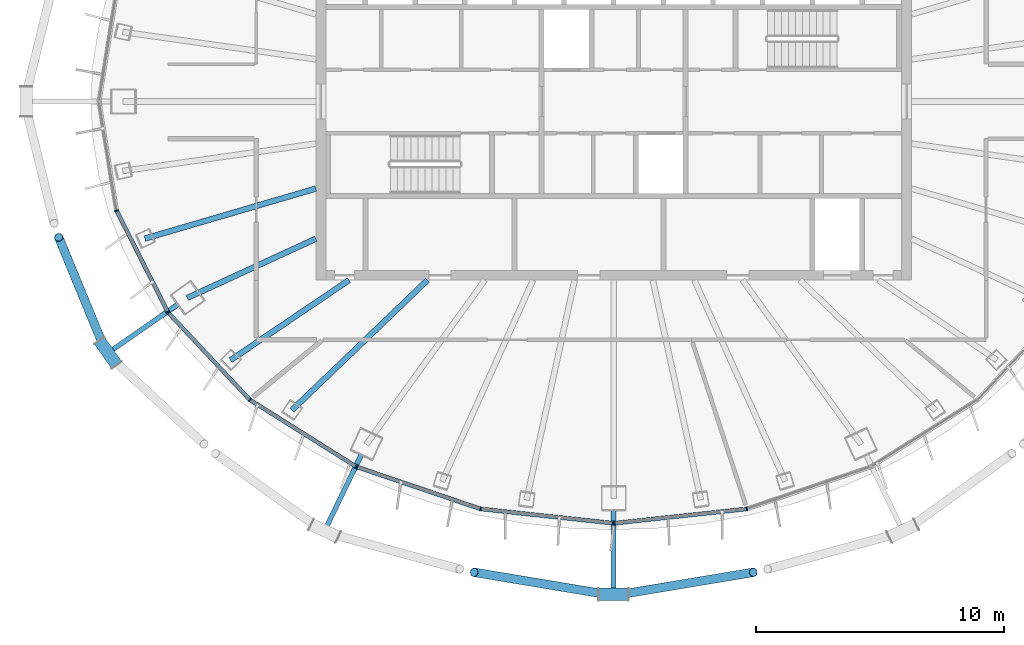
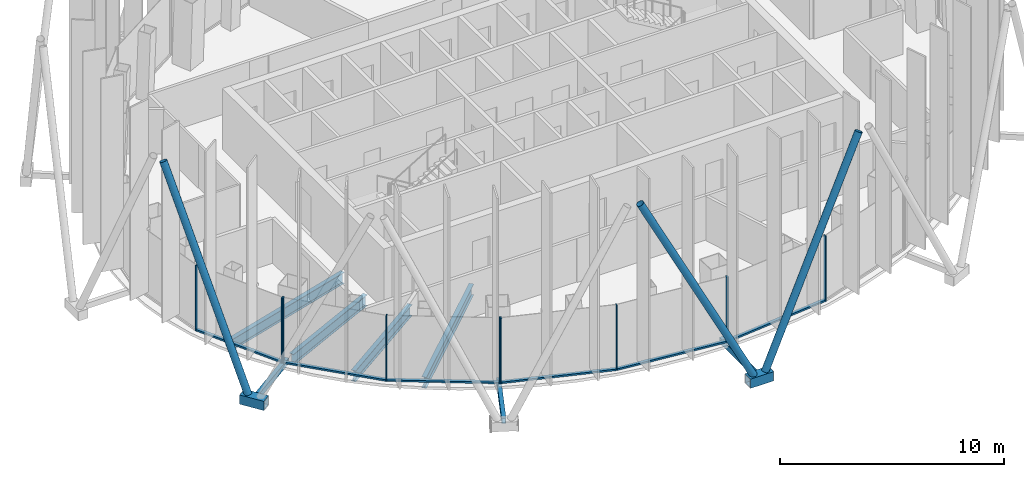
# One storey, part 2 of 19: 24 members, 4 beams, 4 elements without a shape of their own.
"""IFC4 building model written with IfcOpenShell, lengths in metres."""

import ifcopenshell
import ifcopenshell.guid

model = None  # the IFC model being written
_history = None  # IfcOwnerHistory: only IFC2X3 demands one
_inside = {}  # id of a spatial element -> (the spatial element, [elements in it])
_under = {}  # id of a project, library or spatial element -> (it, [spatial elements below it])
_declared = {}  # id of a project -> (the project, [libraries it declares])
_typed = {}  # id of a type object -> (the type object, [elements of that type])
_made_of = {}  # id of a material, layer set ... -> (it, [elements and type objects made of it])


def new_model(schema):
    """Start an empty IFC model of exactly this schema.

    Asked for "IFC4X3", IfcOpenShell would pick the latest addendum, in which some entities
    have other attributes; the version numbers below select the first issue.
    IFC2X3 requires an IfcOwnerHistory on every rooted entity: one is made here for all.
    """
    global model, _history
    if schema == "IFC4X3":
        model = ifcopenshell.file(schema_version=(4, 3, 0, 0))
    else:
        model = ifcopenshell.file(schema=schema)
    _inside.clear()
    _under.clear()
    _declared.clear()
    _typed.clear()
    _made_of.clear()
    _history = None
    if model.schema == "IFC2X3":
        org = make("IfcOrganization", Name="unknown")
        user = make(
            "IfcPersonAndOrganization",
            ThePerson=make("IfcPerson", FamilyName="unknown"),
            TheOrganization=org,
        )
        app = make(
            "IfcApplication",
            ApplicationDeveloper=org,
            Version="unknown",
            ApplicationFullName="unknown",
            ApplicationIdentifier="unknown",
        )
        _history = make(
            "IfcOwnerHistory",
            OwningUser=user,
            OwningApplication=app,
            ChangeAction="ADDED",
            CreationDate=0,
        )
    return model


def make(cls, **values):
    """One entity of the class cls with the attributes given. An attribute that is None is left unset."""
    return model.create_entity(
        cls, **{name: value for name, value in values.items() if value is not None}
    )


def rooted(cls, **values):
    """An entity with a GlobalId (a new one), such as an element, a storey or a relation."""
    return make(cls, GlobalId=ifcopenshell.guid.new(), OwnerHistory=_history, **values)


def si_unit(unit_type, name, prefix=None):
    """IfcSIUnit, for example si_unit("LENGTHUNIT", "METRE", prefix="MILLI")."""
    return make("IfcSIUnit", UnitType=unit_type, Prefix=prefix, Name=name)


def assignment(units):
    """IfcUnitAssignment: the units of a project."""
    return None if units is None else make("IfcUnitAssignment", Units=units)


def point(xyz):
    """IfcCartesianPoint."""
    return None if xyz is None else make("IfcCartesianPoint", Coordinates=xyz)


def direction(xyz):
    """IfcDirection."""
    return None if xyz is None else make("IfcDirection", DirectionRatios=xyz)


def frame(location, z_axis=None, x_axis=None):
    """IfcAxis2Placement3D, a coordinate frame: its origin and axes. An axis left out is left unset."""
    return make(
        "IfcAxis2Placement3D",
        Location=point(location),
        Axis=direction(z_axis),
        RefDirection=direction(x_axis),
    )


def frame_2d(location, x_axis=None):
    """IfcAxis2Placement2D, a coordinate frame in the plane: its origin and x axis."""
    return make(
        "IfcAxis2Placement2D", Location=point(location), RefDirection=direction(x_axis)
    )


def origin():
    """The frame at (0, 0, 0) with its axes left unset."""
    return frame((0.0, 0.0, 0.0))


def origin_2d():
    """The frame at (0, 0) in the plane with its x axis left unset."""
    return frame_2d((0.0, 0.0))


def place(relative_to, where):
    """IfcLocalPlacement: puts the frame where relative to a parent placement (None: the world)."""
    return make(
        "IfcLocalPlacement", PlacementRelTo=relative_to, RelativePlacement=where
    )


def context(
    kind, dimensions, precision=None, world=None, true_north=None, identifier=None
):
    """IfcGeometricRepresentationContext, for example the 3D "Model" context."""
    return make(
        "IfcGeometricRepresentationContext",
        ContextIdentifier=identifier,
        ContextType=kind,
        CoordinateSpaceDimension=dimensions,
        Precision=precision,
        WorldCoordinateSystem=world,
        TrueNorth=true_north,
    )


def subcontext(parent, identifier, kind, view, scale=None):
    """IfcGeometricRepresentationSubContext, for example "Body" below "Model"."""
    return make(
        "IfcGeometricRepresentationSubContext",
        ContextIdentifier=identifier,
        ContextType=kind,
        ParentContext=parent,
        TargetScale=scale,
        TargetView=view,
    )


def project(units=None, contexts=None):
    """IfcProject with its units and contexts."""
    return rooted(
        "IfcProject",
        Name="project",
        RepresentationContexts=contexts,
        UnitsInContext=assignment(units),
    )


def spatial(cls, under=None, at=None, **own):
    """A site, building, storey or space (cls), placed at a placement, below another one or the project."""
    s = rooted(cls, ObjectPlacement=at, **own)
    if under is not None:
        _under.setdefault(under.id(), (under, []))[1].append(s)
    return s


def profile(cls, at=None, kind="AREA", **sizes):
    """A parametric profile (cls). Its sizes go by their IFC names, for example OverallWidth=200.0."""
    return make(cls, ProfileType=kind, Position=at, **sizes)


def rectangle(**sizes):
    """IfcRectangleProfileDef."""
    return profile("IfcRectangleProfileDef", **sizes)


def hollow_rectangle(**sizes):
    """IfcRectangleHollowProfileDef."""
    return profile("IfcRectangleHollowProfileDef", **sizes)


def hollow_circle(**sizes):
    """IfcCircleHollowProfileDef."""
    return profile("IfcCircleHollowProfileDef", **sizes)


def i_section(**sizes):
    """IfcIShapeProfileDef."""
    return profile("IfcIShapeProfileDef", **sizes)


def extrude(swept, where, along, depth):
    """IfcExtrudedAreaSolid: the profile swept, set in the frame where, extruded along a direction by depth."""
    return make(
        "IfcExtrudedAreaSolid",
        SweptArea=swept,
        Position=where,
        ExtrudedDirection=direction(along),
        Depth=depth,
    )


def shape(context_of_items, identifier, shape_type, items):
    """IfcShapeRepresentation: the items that make up one representation, for example the "Body"."""
    return make(
        "IfcShapeRepresentation",
        ContextOfItems=context_of_items,
        RepresentationIdentifier=identifier,
        RepresentationType=shape_type,
        Items=items,
    )


def material(Name=None, Category=None):
    """IfcMaterial."""
    return make("IfcMaterial", Name=Name, Category=Category)


def layer(
    of_material, thickness, ventilated=None, Name=None, Category=None, Priority=None
):
    """IfcMaterialLayer: one layer of a wall or slab, of a material (None: an air gap)."""
    return make(
        "IfcMaterialLayer",
        Material=of_material,
        LayerThickness=thickness,
        IsVentilated=ventilated,
        Name=Name,
        Category=Category,
        Priority=Priority,
    )


def layer_set(layers, Name=None):
    """IfcMaterialLayerSet."""
    return make("IfcMaterialLayerSet", MaterialLayers=layers, LayerSetName=Name)


def material_profile(
    of_material, cross_section, Name=None, Category=None, Priority=None
):
    """IfcMaterialProfile: a cross section and its material."""
    return make(
        "IfcMaterialProfile",
        Name=Name,
        Material=of_material,
        Profile=cross_section,
        Priority=Priority,
        Category=Category,
    )


def profile_set(profiles, Name=None, composite=None):
    """IfcMaterialProfileSet."""
    return make(
        "IfcMaterialProfileSet",
        Name=Name,
        MaterialProfiles=profiles,
        CompositeProfile=composite,
    )


def made_of(thing, what):
    """Note that an element or type object is made of a material, layer set ...; save() writes the relation."""
    if what is not None:
        _made_of.setdefault(what.id(), (what, []))[1].append(thing)
    return thing


def type_object(cls, material=None, **own):
    """A type object (cls), such as IfcWallType, which elements share."""
    return made_of(rooted(cls, **own), material)


def element(
    cls,
    number,
    at=None,
    inside=None,
    cuts=None,
    type_object=None,
    material=None,
    context=None,
    identifier="Body",
    shape_type=None,
    held_by="IfcProductDefinitionShape",
    body=None,
    shapes=None,
    **own,
):
    """One element of the class cls, such as IfcWall. Its Tag is "e" and its number.

    at: its placement. inside: the storey or other place that contains it. cuts: it is an
    opening in that element (IfcRelVoidsElement). A single representation is given by context,
    identifier, shape_type and body (its items); several are given by shapes. held_by: the class
    of the entity that holds the representations. save() writes the other relations.
    """
    e = rooted(cls, Tag="e%d" % number, ObjectPlacement=at, **own)
    if body is not None:
        shapes = [shape(context, identifier, shape_type, body)]
    if shapes is not None:
        e.Representation = make(held_by, Representations=shapes)
    if inside is not None:
        _inside.setdefault(inside.id(), (inside, []))[1].append(e)
    if cuts is not None:
        rooted(
            "IfcRelVoidsElement", RelatingBuildingElement=cuts, RelatedOpeningElement=e
        )
    if type_object is not None:
        _typed.setdefault(type_object.id(), (type_object, []))[1].append(e)
    return made_of(e, material)


def aggregate(whole, parts):
    """IfcRelAggregates: a whole, such as a stair, and the parts it consists of."""
    return rooted("IfcRelAggregates", RelatingObject=whole, RelatedObjects=parts)


def save(model, path):
    """Write the relations noted so far, then the file.

    IfcRelAggregates (storeys below a building ...), IfcRelContainedInSpatialStructure (elements
    in a storey), IfcRelDefinesByType, IfcRelAssociatesMaterial and IfcRelDeclares: one each for
    every whole, place, type object, material and project.
    """
    for whole, parts in _under.values():
        aggregate(whole, parts)
    for where, things in _inside.values():
        rooted(
            "IfcRelContainedInSpatialStructure",
            RelatedElements=things,
            RelatingStructure=where,
        )
    for kind, things in _typed.values():
        rooted("IfcRelDefinesByType", RelatedObjects=things, RelatingType=kind)
    for what, things in _made_of.values():
        rooted("IfcRelAssociatesMaterial", RelatedObjects=things, RelatingMaterial=what)
    for by, libraries in _declared.values():
        rooted("IfcRelDeclares", RelatingContext=by, RelatedDefinitions=libraries)
    model.write(path)


model = new_model("IFC4")

# Units and contexts
model_context = context("Model", 3, precision=1e-05, world=origin(), true_north=direction((0.0, 1.0)))
body_context = subcontext(model_context, "Body", "Model", "MODEL_VIEW")
ifc_project = project(units=[si_unit("LENGTHUNIT", "METRE"), si_unit("AREAUNIT", "SQUARE_METRE"), si_unit("VOLUMEUNIT", "CUBIC_METRE"), si_unit("PLANEANGLEUNIT", "RADIAN"), si_unit("MASSUNIT", "GRAM", prefix="KILO")], contexts=[model_context])

# Site, building, storey
site_placement = place(None, origin())
site = spatial("IfcSite", under=ifc_project, at=site_placement, CompositionType="ELEMENT")
building_placement = place(site_placement, origin())
building = spatial("IfcBuilding", under=site, at=building_placement, Name="Siaravel Broadcast Tower", CompositionType="ELEMENT")
storey_placement = place(building_placement, frame((0.0, 0.0, 250.39990234375)))
storey = spatial("IfcBuildingStorey", under=building, at=storey_placement, Name="L61", CompositionType="ELEMENT", Elevation=250.39990234375)

# Beams
ifc_material_1 = material(Name="Steel S355", Category="steel")
ifc_material_profile_1 = material_profile(ifc_material_1, i_section(OverallWidth=0.2275390625, OverallDepth=0.6025390625, WebThickness=0.010498046875, FlangeThickness=0.014892578125, FilletRadius=0.0126953125, at=origin_2d()))
ifc_profile_set_1 = profile_set([ifc_material_profile_1], Name="Steel S355")
beam_type = type_object("IfcBeamType", Name="BM-UB 610x229x101", PredefinedType="BEAM", material=ifc_profile_set_1)
beam_1_placement = place(storey_placement, frame((-18.8857421875, -5.523681640625, -0.451171875), z_axis=(0.959790868, 0.280716029, 0.0), x_axis=(-0.280716029, 0.959790868, 0.0)))
element("IfcBeam", 1, at=beam_1_placement, inside=storey, type_object=beam_type, Name="Radial beam RB21", PredefinedType="BEAM", context=body_context, shape_type="SweptSolid", body=[
    extrude(i_section(OverallWidth=0.2275390625, OverallDepth=0.6025390625, WebThickness=0.010498046875, FlangeThickness=0.014892578125, FilletRadius=0.0126953125, at=origin_2d()), origin(), (0.0, 0.0, 1.0), 7.17431640625),
])
beam_2_placement = place(storey_placement, frame((-17.1796875, -7.916015625, -0.451171875), z_axis=(0.908219817, 0.418493445, 0.0), x_axis=(-0.418493445, 0.908219817, 0.0)))
element("IfcBeam", 2, at=beam_2_placement, inside=storey, type_object=beam_type, Name="Radial beam RB22", PredefinedType="BEAM", context=body_context, shape_type="SweptSolid", body=[
    extrude(i_section(OverallWidth=0.2275390625, OverallDepth=0.6025390625, WebThickness=0.010498046875, FlangeThickness=0.014892578125, FilletRadius=0.0126953125, at=origin_2d()), origin(), (0.0, 0.0, 1.0), 5.703125),
])
beam_3_placement = place(storey_placement, frame((-15.432861328125, -10.4189453125, -0.451171875), z_axis=(0.828804394, 0.55953845, 0.0), x_axis=(-0.55953845, 0.828804394, 0.0)))
element("IfcBeam", 3, at=beam_3_placement, inside=storey, type_object=beam_type, Name="Radial beam RB23", PredefinedType="BEAM", context=body_context, shape_type="SweptSolid", body=[
    extrude(i_section(OverallWidth=0.2275390625, OverallDepth=0.6025390625, WebThickness=0.010498046875, FlangeThickness=0.014892578125, FilletRadius=0.0126953125, at=origin_2d()), origin(), (0.0, 0.0, 1.0), 5.7529296875),
])
beam_4_placement = place(storey_placement, frame((-12.965576171875, -12.439697265625, -0.451171875), z_axis=(0.721584548, 0.692326325, 0.0), x_axis=(-0.692326325, 0.721584548, 0.0)))
element("IfcBeam", 4, at=beam_4_placement, inside=storey, type_object=beam_type, Name="Radial beam RB24", PredefinedType="BEAM", context=body_context, shape_type="SweptSolid", body=[
    extrude(i_section(OverallWidth=0.2275390625, OverallDepth=0.6025390625, WebThickness=0.010498046875, FlangeThickness=0.014892578125, FilletRadius=0.0126953125, at=origin_2d()), origin(), (0.0, 0.0, 1.0), 7.568359375),
])

# Curtain wall, members
ifc_material_2 = material(Name="Aluminium 6063-T6", Category="aluminium")
ifc_layer = layer(ifc_material_2, 0.159912109375)
ifc_layer_set = layer_set([ifc_layer], Name="Aluminium 6063-T6")
curtain_wall_type = type_object("IfcCurtainWallType", Name="Unitised curtain wall, zone 4", PredefinedType="NOTDEFINED", material=ifc_layer_set)
curtain_wall_1_placement = place(storey_placement, origin())
curtain_wall_1 = element("IfcCurtainWall", 5, at=curtain_wall_1_placement, inside=storey, type_object=curtain_wall_type, Name="L61 Unitised curtain wall, zone 4 07", PredefinedType="NOTDEFINED")
ifc_material_profile_2 = material_profile(ifc_material_2, rectangle(XDim=0.159912109375, YDim=0.054931640625, at=origin_2d()))
ifc_profile_set_2 = profile_set([ifc_material_profile_2], Name="Aluminium 6063-T6")
member_type_1 = type_object("IfcMemberType", Name="CW-Z4 mullion", PredefinedType="MULLION", material=ifc_profile_set_2)
member_1_placement = place(storey_placement, frame((-20.0263671875, -4.400390625, 0.0), z_axis=(0.0, 0.0, 1.0), x_axis=(0.951177667, 0.30864388, 0.0)))
member_1 = element("IfcMember", 6, at=member_1_placement, type_object=member_type_1, Name="CW-Z4 mullion 2", PredefinedType="MULLION", context=body_context, shape_type="SweptSolid", body=[
    extrude(rectangle(XDim=0.159912109375, YDim=0.054931640625, at=origin_2d()), origin(), (0.0, 0.0, 1.0), 3.550048828125),
])
member_2_placement = place(storey_placement, frame((-17.9658203125, -8.475341796875, 0.0), z_axis=(0.0, 0.0, 1.0), x_axis=(0.892393007, 0.45125904, 0.0)))
member_2 = element("IfcMember", 7, at=member_2_placement, type_object=member_type_1, Name="CW-Z4 mullion 3", PredefinedType="MULLION", context=body_context, shape_type="SweptSolid", body=[
    extrude(rectangle(XDim=0.159912109375, YDim=0.054931640625, at=origin_2d()), origin(), (0.0, 0.0, 1.0), 3.550048828125),
])

curtain_wall_2_placement = place(storey_placement, origin())
curtain_wall_2 = element("IfcCurtainWall", 8, at=curtain_wall_2_placement, inside=storey, type_object=curtain_wall_type, Name="L61 Unitised curtain wall, zone 4 08", PredefinedType="NOTDEFINED")
member_3_placement = place(storey_placement, frame((-17.9345703125, -8.52001953125, 0.0), z_axis=(0.0, 0.0, 1.0), x_axis=(0.729806711, 0.683653541, 0.0)))
member_3 = element("IfcMember", 9, at=member_3_placement, type_object=member_type_1, Name="CW-Z4 mullion 1", PredefinedType="MULLION", context=body_context, shape_type="SweptSolid", body=[
    extrude(rectangle(XDim=0.159912109375, YDim=0.054931640625, at=origin_2d()), origin(), (0.0, 0.0, 1.0), 3.550048828125),
])
member_4_placement = place(storey_placement, frame((-14.6572265625, -12.0185546875, 0.0), z_axis=(0.0, 0.0, 1.0), x_axis=(0.636220107, 0.771507599, 0.0)))
member_4 = element("IfcMember", 10, at=member_4_placement, type_object=member_type_1, Name="CW-Z4 mullion 2", PredefinedType="MULLION", context=body_context, shape_type="SweptSolid", body=[
    extrude(rectangle(XDim=0.159912109375, YDim=0.054931640625, at=origin_2d()), origin(), (0.0, 0.0, 1.0), 3.550048828125),
])
member_5_placement = place(storey_placement, frame((-10.386474609375, -14.702880859375, 0.0), z_axis=(0.0, 0.0, 1.0), x_axis=(0.532150638, 0.84664969, 0.0)))
member_5 = element("IfcMember", 11, at=member_5_placement, type_object=member_type_1, Name="CW-Z4 mullion 3", PredefinedType="MULLION", context=body_context, shape_type="SweptSolid", body=[
    extrude(rectangle(XDim=0.159912109375, YDim=0.054931640625, at=origin_2d()), origin(), (0.0, 0.0, 1.0), 3.550048828125),
])

curtain_wall_3_placement = place(storey_placement, origin())
curtain_wall_3 = element("IfcCurtainWall", 12, at=curtain_wall_3_placement, inside=storey, type_object=curtain_wall_type, Name="L61 Unitised curtain wall, zone 4 09", PredefinedType="NOTDEFINED")
member_6_placement = place(storey_placement, frame((-10.337158203125, -14.726318359375, 0.0), z_axis=(0.0, 0.0, 1.0), x_axis=(0.321301584, 0.946976923, 0.0)))
member_6 = element("IfcMember", 13, at=member_6_placement, type_object=member_type_1, Name="CW-Z4 mullion 1", PredefinedType="MULLION", context=body_context, shape_type="SweptSolid", body=[
    extrude(rectangle(XDim=0.159912109375, YDim=0.054931640625, at=origin_2d()), origin(), (0.0, 0.0, 1.0), 3.550048828125),
])
member_7_placement = place(storey_placement, frame((-5.364013671875, -16.413818359375, 0.0), z_axis=(0.0, 0.0, 1.0), x_axis=(0.215558728, 0.976490878, 0.0)))
member_7 = element("IfcMember", 14, at=member_7_placement, type_object=member_type_1, Name="CW-Z4 mullion 2", PredefinedType="MULLION", context=body_context, shape_type="SweptSolid", body=[
    extrude(rectangle(XDim=0.159912109375, YDim=0.054931640625, at=origin_2d()), origin(), (0.0, 0.0, 1.0), 3.550048828125),
])
member_8_placement = place(storey_placement, frame((-0.02734375, -16.9892578125, 0.0), z_axis=(0.0, 0.0, 1.0), x_axis=(0.107217823, 0.994235555, 0.0)))
member_8 = element("IfcMember", 15, at=member_8_placement, type_object=member_type_1, Name="CW-Z4 mullion 3", PredefinedType="MULLION", context=body_context, shape_type="SweptSolid", body=[
    extrude(rectangle(XDim=0.159912109375, YDim=0.054931640625, at=origin_2d()), origin(), (0.0, 0.0, 1.0), 3.550048828125),
])

curtain_wall_4_placement = place(storey_placement, origin())
curtain_wall_4 = element("IfcCurtainWall", 16, at=curtain_wall_4_placement, inside=storey, type_object=curtain_wall_type, Name="L61 Unitised curtain wall, zone 4 10", PredefinedType="NOTDEFINED")
member_9_placement = place(storey_placement, frame((0.02734375, -16.9892578125, 0.0), z_axis=(0.0, 0.0, 1.0), x_axis=(-0.107217823, 0.994235555, 0.0)))
member_9 = element("IfcMember", 17, at=member_9_placement, type_object=member_type_1, Name="CW-Z4 mullion 1", PredefinedType="MULLION", context=body_context, shape_type="SweptSolid", body=[
    extrude(rectangle(XDim=0.159912109375, YDim=0.054931640625, at=origin_2d()), origin(), (0.0, 0.0, 1.0), 3.550048828125),
])
member_10_placement = place(storey_placement, frame((5.364013671875, -16.413818359375, 0.0), z_axis=(0.0, 0.0, 1.0), x_axis=(-0.215558728, 0.976490878, 0.0)))
member_10 = element("IfcMember", 18, at=member_10_placement, type_object=member_type_1, Name="CW-Z4 mullion 2", PredefinedType="MULLION", context=body_context, shape_type="SweptSolid", body=[
    extrude(rectangle(XDim=0.159912109375, YDim=0.054931640625, at=origin_2d()), origin(), (0.0, 0.0, 1.0), 3.550048828125),
])

# Member
ifc_material_profile_3 = material_profile(ifc_material_2, rectangle(XDim=0.159912109375, YDim=0.090087890625, at=origin_2d()))
ifc_profile_set_3 = profile_set([ifc_material_profile_3], Name="Aluminium 6063-T6")
member_type_2 = type_object("IfcMemberType", Name="CW-Z4 transom", PredefinedType="USERDEFINED", material=ifc_profile_set_3)
member_11_placement = place(storey_placement, frame((-20.013916015625, -4.425048828125, 0.045166015625), z_axis=(0.451257233, -0.892393921, 0.0), x_axis=(0.892393921, 0.451257233, 0.0)))
member_11 = element("IfcMember", 19, at=member_11_placement, type_object=member_type_2, Name="CW-Z4 transom 2", ObjectType="TRANSOM", PredefinedType="USERDEFINED", context=body_context, shape_type="SweptSolid", body=[
    extrude(rectangle(XDim=0.159912109375, YDim=0.090087890625, at=origin_2d()), origin(), (0.0, 0.0, 1.0), 4.510986328125),
])

aggregate(curtain_wall_1, [member_1, member_2, member_11])

member_12_placement = place(storey_placement, frame((-17.915771484375, -8.5400390625, 0.045166015625), z_axis=(0.683649743, -0.729810269, 0.0), x_axis=(0.729810269, 0.683649743, 0.0)))
member_12 = element("IfcMember", 20, at=member_12_placement, type_object=member_type_2, Name="CW-Z4 transom 1", ObjectType="TRANSOM", PredefinedType="USERDEFINED", context=body_context, shape_type="SweptSolid", body=[
    extrude(rectangle(XDim=0.159912109375, YDim=0.090087890625, at=origin_2d()), origin(), (0.0, 0.0, 1.0), 4.739013671875),
])

member_13_placement = place(storey_placement, frame((-14.6337890625, -12.033203125, 0.045166015625), z_axis=(0.846648518, -0.532152504, 0.0), x_axis=(0.532152504, 0.846648518, 0.0)))
member_13 = element("IfcMember", 21, at=member_13_placement, type_object=member_type_2, Name="CW-Z4 transom 2", ObjectType="TRANSOM", PredefinedType="USERDEFINED", context=body_context, shape_type="SweptSolid", body=[
    extrude(rectangle(XDim=0.159912109375, YDim=0.090087890625, at=origin_2d()), origin(), (0.0, 0.0, 1.0), 4.9892578125),
])

aggregate(curtain_wall_2, [member_3, member_4, member_5, member_12, member_13])

member_14_placement = place(storey_placement, frame((-10.31103515625, -14.735107421875, 0.045166015625), z_axis=(0.946973595, -0.321311392, 0.0), x_axis=(0.321311392, 0.946973595, 0.0)))
member_14 = element("IfcMember", 22, at=member_14_placement, type_object=member_type_2, Name="CW-Z4 transom 1", ObjectType="TRANSOM", PredefinedType="USERDEFINED", context=body_context, shape_type="SweptSolid", body=[
    extrude(rectangle(XDim=0.159912109375, YDim=0.090087890625, at=origin_2d()), origin(), (0.0, 0.0, 1.0), 5.196533203125),
])

member_15_placement = place(storey_placement, frame((-5.336669921875, -16.416748046875, 0.045166015625), z_axis=(0.994236077, -0.107212978, 0.0), x_axis=(0.107212978, 0.994236077, 0.0)))
member_15 = element("IfcMember", 23, at=member_15_placement, type_object=member_type_2, Name="CW-Z4 transom 2", ObjectType="TRANSOM", PredefinedType="USERDEFINED", context=body_context, shape_type="SweptSolid", body=[
    extrude(rectangle(XDim=0.159912109375, YDim=0.090087890625, at=origin_2d()), origin(), (0.0, 0.0, 1.0), 5.3125),
])

aggregate(curtain_wall_3, [member_6, member_7, member_8, member_14, member_15])

member_16_placement = place(storey_placement, frame((0.0546875, -16.986328125, 0.045166015625), z_axis=(0.994236077, 0.107212978, 0.0), x_axis=(-0.107212978, 0.994236077, 0.0)))
member_16 = element("IfcMember", 24, at=member_16_placement, type_object=member_type_2, Name="CW-Z4 transom 1", ObjectType="TRANSOM", PredefinedType="USERDEFINED", context=body_context, shape_type="SweptSolid", body=[
    extrude(rectangle(XDim=0.159912109375, YDim=0.090087890625, at=origin_2d()), origin(), (0.0, 0.0, 1.0), 5.3125),
])

aggregate(curtain_wall_4, [member_9, member_10, member_16])

# Members
ifc_material_3 = material(Name="Steel S460", Category="steel")
ifc_material_profile_4 = material_profile(ifc_material_3, hollow_circle(Radius=0.177734375, WallThickness=0.012451171875, at=origin_2d()))
ifc_profile_set_4 = profile_set([ifc_material_profile_4], Name="Steel S460")
member_type_3 = type_object("IfcMemberType", Name="Diagrid diagonal CHS 355.6x12.5", PredefinedType="BRACE", material=ifc_profile_set_4)
member_17_placement = place(storey_placement, frame((-20.540771484375, -9.884765625, 0.02001953125), z_axis=(-0.155613131, 0.377660777, 0.912774282), x_axis=(-0.92458692, -0.380971163, 0.0)))
element("IfcMember", 25, at=member_17_placement, inside=storey, type_object=member_type_3, Name="Diagrid diagonal R25 station 42C", PredefinedType="BRACE", context=body_context, shape_type="SweptSolid", body=[
    extrude(hollow_circle(Radius=0.177734375, WallThickness=0.012451171875, at=origin_2d()), origin(), (0.0, 0.0, 1.0), 11.678955078125),
])
for number, where, z_axis, x_axis, name in (
    (26, (-0.295654296875, -19.85693359375, 0.02001953125), (-0.445729387, 0.074386978, 0.892071685), (-0.164611595, -0.986358466, 0.0), "Diagrid diagonal R25 station 54C"),
    (27, (0.295654296875, -19.85693359375, 0.02001953125), (0.445729387, 0.074386978, 0.892071685), (-0.164611595, 0.986358466, 0.0), "Diagrid diagonal R25 station 54A"),
):
    element("IfcMember", number, at=place(storey_placement, frame(where, z_axis=z_axis, x_axis=x_axis)), inside=storey, type_object=member_type_3, Name=name, PredefinedType="BRACE", context=body_context, shape_type="SweptSolid", body=[
        extrude(hollow_circle(Radius=0.177734375, WallThickness=0.012451171875, at=origin_2d()), origin(), (0.0, 0.0, 1.0), 11.949951171875),
    ])
ifc_material_profile_5 = material_profile(ifc_material_3, hollow_rectangle(XDim=0.5, YDim=0.5, WallThickness=0.031982421875, at=origin_2d()))
ifc_profile_set_5 = profile_set([ifc_material_profile_5], Name="Steel S460")
member_type_4 = type_object("IfcMemberType", Name="Diagrid node BOX 500x500x32", PredefinedType="USERDEFINED", material=ifc_profile_set_5)
member_18_placement = place(storey_placement, frame((-20.71240234375, -9.641357421875, -0.199951171875), z_axis=(0.576206583, -0.817304089, 0.0), x_axis=(0.817304089, 0.576206583, 0.0)))
element("IfcMember", 28, at=member_18_placement, inside=storey, type_object=member_type_4, Name="Diagrid node R25 station 42", ObjectType="DIAGRID NODE", PredefinedType="USERDEFINED", context=body_context, shape_type="SweptSolid", body=[
    extrude(hollow_rectangle(XDim=0.5, YDim=0.5, WallThickness=0.031982421875, at=origin_2d()), origin(), (0.0, 0.0, 1.0), 1.186767578125),
])
member_19_placement = place(storey_placement, frame((-0.593505859375, -19.85693359375, -0.199951171875), z_axis=(1.0, 0.0, 0.0), x_axis=(0.0, 1.0, 0.0)))
element("IfcMember", 29, at=member_19_placement, inside=storey, type_object=member_type_4, Name="Diagrid node R25 station 54", ObjectType="DIAGRID NODE", PredefinedType="USERDEFINED", context=body_context, shape_type="SweptSolid", body=[
    extrude(hollow_rectangle(XDim=0.5, YDim=0.5, WallThickness=0.031982421875, at=origin_2d()), origin(), (0.0, 0.0, 1.0), 1.18701171875),
])
ifc_material_profile_6 = material_profile(ifc_material_3, hollow_rectangle(XDim=0.199951171875, YDim=0.300048828125, WallThickness=0.012451171875, at=origin_2d()))
ifc_profile_set_6 = profile_set([ifc_material_profile_6], Name="Steel S460")
member_type_5 = type_object("IfcMemberType", Name="Diagrid node arm RHS 300x200x12.5", PredefinedType="STRUT", material=ifc_profile_set_6)
member_20_placement = place(storey_placement, frame((-17.566162109375, -8.18359375, -0.199951171875), z_axis=(-0.821996626, -0.569492358, 0.0), x_axis=(0.569492358, -0.821996626, 0.0)))
element("IfcMember", 30, at=member_20_placement, inside=storey, type_object=member_type_5, Name="Node arm R25 station 42", PredefinedType="STRUT", context=body_context, shape_type="SweptSolid", body=[
    extrude(hollow_rectangle(XDim=0.199951171875, YDim=0.300048828125, WallThickness=0.012451171875, at=origin_2d()), origin(), (0.0, 0.0, 1.0), 3.191650390625),
])
member_21_placement = place(storey_placement, frame((-10.171630859375, -14.23779296875, -0.199951171875), z_axis=(-0.434183283, -0.900824554, 0.0), x_axis=(0.900824554, -0.434183283, 0.0)))
element("IfcMember", 31, at=member_21_placement, inside=storey, type_object=member_type_5, Name="Node arm R25 station 48", PredefinedType="STRUT", context=body_context, shape_type="SweptSolid", body=[
    extrude(hollow_rectangle(XDim=0.199951171875, YDim=0.300048828125, WallThickness=0.012451171875, at=origin_2d()), origin(), (0.0, 0.0, 1.0), 3.174072265625),
])
member_22_placement = place(storey_placement, frame((0.0, -16.469482421875, -0.199951171875), z_axis=(0.0, -1.0, 0.0), x_axis=(1.0, 0.0, 0.0)))
element("IfcMember", 32, at=member_22_placement, inside=storey, type_object=member_type_5, Name="Node arm R25 station 54", PredefinedType="STRUT", context=body_context, shape_type="SweptSolid", body=[
    extrude(hollow_rectangle(XDim=0.199951171875, YDim=0.300048828125, WallThickness=0.012451171875, at=origin_2d()), origin(), (0.0, 0.0, 1.0), 3.16748046875),
])

save(model, "model.ifc")
